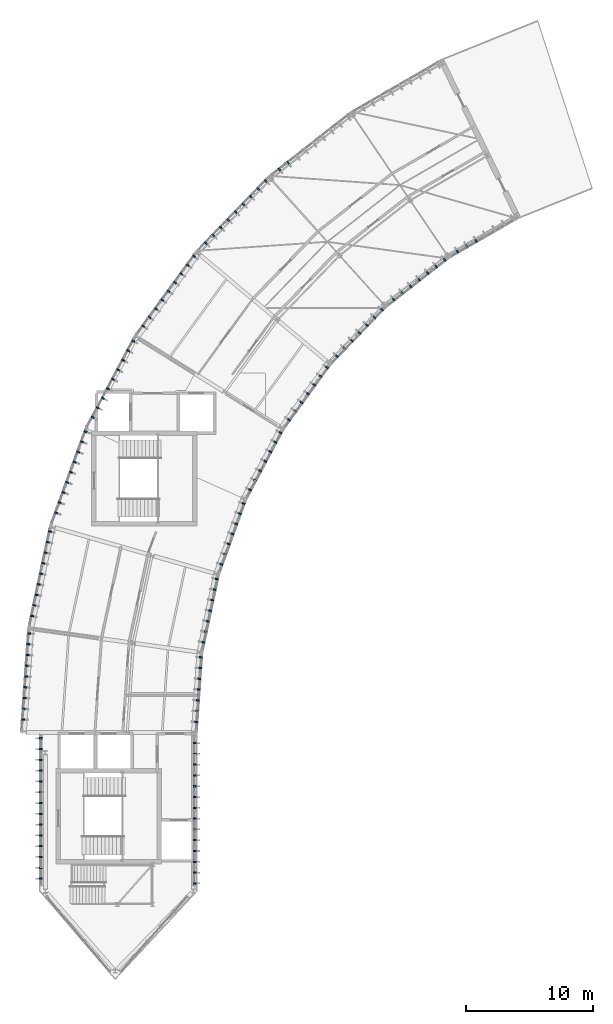
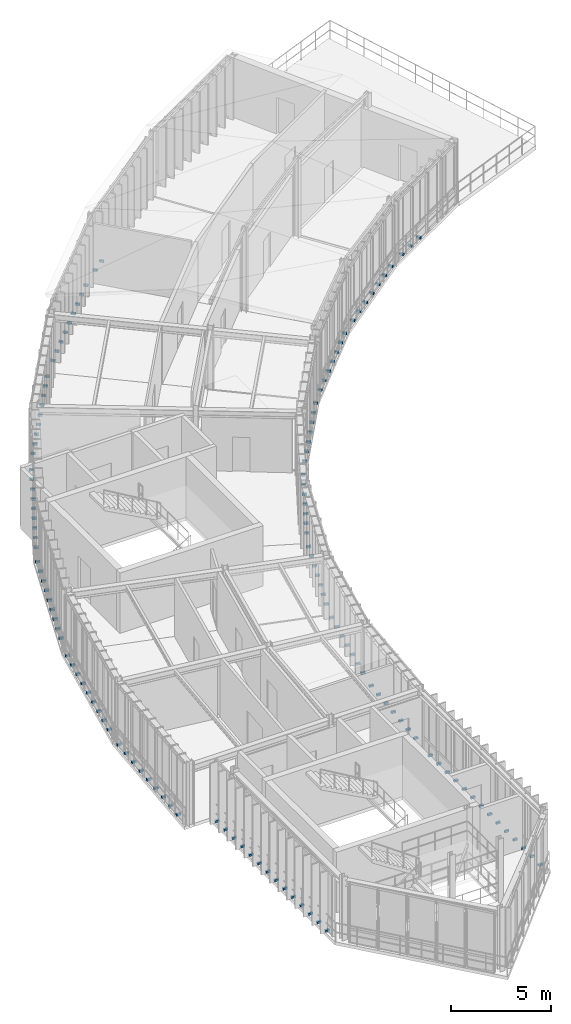
# One storey, part 20 of 25: 136 discrete accessories.
"""IFC4 building model written with IfcOpenShell, lengths in metres."""

from ifc_helpers import new_model, si_unit, direction, frame, origin, origin_2d, place, context, subcontext, project, spatial, rectangle, extrude, material, type_object, element, save


model = new_model("IFC4")

# Units and contexts
model_context = context("Model", 3, precision=1e-05, world=origin(), true_north=direction((0.0, 1.0)))
body_context = subcontext(model_context, "Body", "Model", "MODEL_VIEW")
ifc_project = project(units=[si_unit("LENGTHUNIT", "METRE"), si_unit("AREAUNIT", "SQUARE_METRE"), si_unit("VOLUMEUNIT", "CUBIC_METRE"), si_unit("PLANEANGLEUNIT", "RADIAN"), si_unit("MASSUNIT", "GRAM", prefix="KILO"), si_unit("THERMODYNAMICTEMPERATUREUNIT", "KELVIN"), si_unit("POWERUNIT", "WATT")], contexts=[model_context])

# Site, building, storey
site_placement = place(None, origin())
site = spatial("IfcSite", under=ifc_project, at=site_placement, CompositionType="ELEMENT")
building_placement = place(site_placement, origin())
building = spatial("IfcBuilding", under=site, at=building_placement, Name="Solvatero Civic Police Headquarters", CompositionType="ELEMENT")
storey_placement = place(building_placement, frame((0.0, 0.0, 25.5)))
storey = spatial("IfcBuildingStorey", under=building, at=storey_placement, Name="L06", CompositionType="ELEMENT", Elevation=25.5)

# Discrete accessories
ifc_material = material(Name="Steel S355", Category="steel")
discrete_accessory_type = type_object("IfcDiscreteAccessoryType", Name="ACC-BRK-FIN", PredefinedType="BRACKET", material=ifc_material)
for number, where, z_axis, x_axis, name in (
    (1, (70.927490234375, 64.7099609375, 0.0), (0.0, 0.0, 1.0), (-0.866025403784, -0.5, 0.0), "Slab-Edge Fin Bracket 1231"),
    (2, (70.19140625, 64.284912109375, 0.0), (0.0, 0.0, 1.0), (-0.866025403784, -0.5, 0.0), "Slab-Edge Fin Bracket 1232"),
    (3, (69.455078125, 63.860107421875, 0.0), (0.0, 0.0, 1.0), (-0.866025403784, -0.5, 0.0), "Slab-Edge Fin Bracket 1233"),
    (4, (56.104736328125, 70.8671875, 0.0), (0.0, 0.0, 1.0), (-0.788010753607, -0.615661475326, 0.0), "Slab-Edge Fin Bracket 1241"),
    (5, (55.434814453125, 70.343994140625, 0.0), (0.0, 0.0, 1.0), (-0.788010753607, -0.615661475326, 0.0), "Slab-Edge Fin Bracket 1242"),
    (6, (68.45166015625, 63.2216796875, 0.0), (0.0, 0.0, 1.0), (-0.788010753607, -0.615661475326, 0.0), "Slab-Edge Fin Bracket 1243"),
    (7, (67.78173828125, 62.6982421875, 0.0), (0.0, 0.0, 1.0), (-0.788010753607, -0.615661475326, 0.0), "Slab-Edge Fin Bracket 1244"),
    (8, (67.112060546875, 62.1748046875, 0.0), (0.0, 0.0, 1.0), (-0.788010753607, -0.615661475326, 0.0), "Slab-Edge Fin Bracket 1245"),
    (9, (66.442138671875, 61.651611328125, 0.0), (0.0, 0.0, 1.0), (-0.788010753607, -0.615661475326, 0.0), "Slab-Edge Fin Bracket 1246"),
    (10, (65.7724609375, 61.12841796875, 0.0), (0.0, 0.0, 1.0), (-0.788010753607, -0.615661475326, 0.0), "Slab-Edge Fin Bracket 1247"),
    (11, (65.1025390625, 60.60498046875, 0.0), (0.0, 0.0, 1.0), (-0.788010753607, -0.615661475326, 0.0), "Slab-Edge Fin Bracket 1248"),
    (12, (64.432861328125, 60.081787109375, 0.0), (0.0, 0.0, 1.0), (-0.788010753607, -0.615661475326, 0.0), "Slab-Edge Fin Bracket 1249"),
    (13, (54.35546875, 69.429443359375, 0.0), (0.0, 0.0, 1.0), (-0.694658370459, -0.719339800339, 0.0), "Slab-Edge Fin Bracket 1250"),
    (14, (53.764892578125, 68.818115234375, 0.0), (0.0, 0.0, 1.0), (-0.694658370459, -0.719339800339, 0.0), "Slab-Edge Fin Bracket 1251"),
    (15, (53.174560546875, 68.20654296875, 0.0), (0.0, 0.0, 1.0), (-0.694658370459, -0.719339800339, 0.0), "Slab-Edge Fin Bracket 1252"),
    (16, (52.583984375, 67.59521484375, 0.0), (0.0, 0.0, 1.0), (-0.694658370459, -0.719339800339, 0.0), "Slab-Edge Fin Bracket 1253"),
    (17, (51.99365234375, 66.983642578125, 0.0), (0.0, 0.0, 1.0), (-0.694658370459, -0.719339800339, 0.0), "Slab-Edge Fin Bracket 1254"),
    (18, (51.4033203125, 66.372314453125, 0.0), (0.0, 0.0, 1.0), (-0.694658370459, -0.719339800339, 0.0), "Slab-Edge Fin Bracket 1255"),
    (19, (50.812744140625, 65.7607421875, 0.0), (0.0, 0.0, 1.0), (-0.694658370459, -0.719339800339, 0.0), "Slab-Edge Fin Bracket 1256"),
    (20, (50.22216796875, 65.1494140625, 0.0), (0.0, 0.0, 1.0), (-0.694658370459, -0.719339800339, 0.0), "Slab-Edge Fin Bracket 1257"),
    (21, (49.6318359375, 64.5380859375, 0.0), (0.0, 0.0, 1.0), (-0.694658370459, -0.719339800339, 0.0), "Slab-Edge Fin Bracket 1258"),
    (22, (63.512939453125, 59.29638671875, 0.0), (0.0, 0.0, 1.0), (-0.694645815505, -0.719351924305, 0.0), "Slab-Edge Fin Bracket 1259"),
    (23, (62.922607421875, 58.684814453125, 0.0), (0.0, 0.0, 1.0), (-0.694645815505, -0.719351924305, 0.0), "Slab-Edge Fin Bracket 1260"),
    (24, (62.33203125, 58.073486328125, 0.0), (0.0, 0.0, 1.0), (-0.694645815505, -0.719351924305, 0.0), "Slab-Edge Fin Bracket 1261"),
    (25, (61.74169921875, 57.4619140625, 0.0), (0.0, 0.0, 1.0), (-0.694645815505, -0.719351924305, 0.0), "Slab-Edge Fin Bracket 1262"),
    (26, (61.151123046875, 56.8505859375, 0.0), (0.0, 0.0, 1.0), (-0.694645815505, -0.719351924305, 0.0), "Slab-Edge Fin Bracket 1263"),
    (27, (60.560791015625, 56.2392578125, 0.0), (0.0, 0.0, 1.0), (-0.694645815505, -0.719351924305, 0.0), "Slab-Edge Fin Bracket 1264"),
    (28, (59.97021484375, 55.627685546875, 0.0), (0.0, 0.0, 1.0), (-0.694645815505, -0.719351924305, 0.0), "Slab-Edge Fin Bracket 1265"),
    (29, (48.702880859375, 63.49755859375, 0.0), (0.0, 0.0, 1.0), (-0.587785252292, -0.809016994375, 0.0), "Slab-Edge Fin Bracket 1266"),
    (30, (48.203369140625, 62.809814453125, 0.0), (0.0, 0.0, 1.0), (-0.587785252292, -0.809016994375, 0.0), "Slab-Edge Fin Bracket 1267"),
    (31, (47.703857421875, 62.122314453125, 0.0), (0.0, 0.0, 1.0), (-0.587785252292, -0.809016994375, 0.0), "Slab-Edge Fin Bracket 1268"),
    (32, (47.2041015625, 61.4345703125, 0.0), (0.0, 0.0, 1.0), (-0.587785252292, -0.809016994375, 0.0), "Slab-Edge Fin Bracket 1269"),
    (33, (46.70458984375, 60.746826171875, 0.0), (0.0, 0.0, 1.0), (-0.587785252292, -0.809016994375, 0.0), "Slab-Edge Fin Bracket 1270"),
    (34, (46.204833984375, 60.05908203125, 0.0), (0.0, 0.0, 1.0), (-0.587785252292, -0.809016994375, 0.0), "Slab-Edge Fin Bracket 1271"),
    (35, (45.705322265625, 59.37158203125, 0.0), (0.0, 0.0, 1.0), (-0.587785252292, -0.809016994375, 0.0), "Slab-Edge Fin Bracket 1272"),
    (36, (45.205810546875, 58.683837890625, 0.0), (0.0, 0.0, 1.0), (-0.587785252292, -0.809016994375, 0.0), "Slab-Edge Fin Bracket 1273"),
    (37, (44.7060546875, 57.99609375, 0.0), (0.0, 0.0, 1.0), (-0.587785252292, -0.809016994375, 0.0), "Slab-Edge Fin Bracket 1274"),
    (38, (59.181640625, 54.737548828125, 0.0), (0.0, 0.0, 1.0), (-0.587785252292, -0.809016994375, 0.0), "Slab-Edge Fin Bracket 1275"),
    (39, (58.68212890625, 54.0498046875, 0.0), (0.0, 0.0, 1.0), (-0.587785252292, -0.809016994375, 0.0), "Slab-Edge Fin Bracket 1276"),
    (40, (58.1826171875, 53.3623046875, 0.0), (0.0, 0.0, 1.0), (-0.587785252292, -0.809016994375, 0.0), "Slab-Edge Fin Bracket 1277"),
    (41, (57.682861328125, 52.674560546875, 0.0), (0.0, 0.0, 1.0), (-0.587785252292, -0.809016994375, 0.0), "Slab-Edge Fin Bracket 1278"),
    (42, (57.18310546875, 51.98681640625, 0.0), (0.0, 0.0, 1.0), (-0.587785252292, -0.809016994375, 0.0), "Slab-Edge Fin Bracket 1279"),
    (43, (56.68359375, 51.29931640625, 0.0), (0.0, 0.0, 1.0), (-0.587785252292, -0.809016994375, 0.0), "Slab-Edge Fin Bracket 1280"),
    (44, (56.18408203125, 50.611572265625, 0.0), (0.0, 0.0, 1.0), (-0.587785252292, -0.809016994375, 0.0), "Slab-Edge Fin Bracket 1281"),
    (45, (43.92041015625, 56.819580078125, 0.0), (0.0, 0.0, 1.0), (-0.469471562786, -0.882947592859, 0.0), "Slab-Edge Fin Bracket 1282"),
    (46, (43.521484375, 56.069091796875, 0.0), (0.0, 0.0, 1.0), (-0.469471562786, -0.882947592859, 0.0), "Slab-Edge Fin Bracket 1283"),
    (47, (43.122314453125, 55.318603515625, 0.0), (0.0, 0.0, 1.0), (-0.469471562786, -0.882947592859, 0.0), "Slab-Edge Fin Bracket 1284"),
    (48, (42.723388671875, 54.568115234375, 0.0), (0.0, 0.0, 1.0), (-0.469471562786, -0.882947592859, 0.0), "Slab-Edge Fin Bracket 1285"),
    (49, (42.32421875, 53.817626953125, 0.0), (0.0, 0.0, 1.0), (-0.469471562786, -0.882947592859, 0.0), "Slab-Edge Fin Bracket 1286"),
    (50, (41.92529296875, 53.067138671875, 0.0), (0.0, 0.0, 1.0), (-0.469471562786, -0.882947592859, 0.0), "Slab-Edge Fin Bracket 1287"),
    (51, (41.526123046875, 52.316650390625, 0.0), (0.0, 0.0, 1.0), (-0.469471562786, -0.882947592859, 0.0), "Slab-Edge Fin Bracket 1288"),
    (52, (41.127197265625, 51.566162109375, 0.0), (0.0, 0.0, 1.0), (-0.469471562786, -0.882947592859, 0.0), "Slab-Edge Fin Bracket 1289"),
    (53, (40.72802734375, 50.815673828125, 0.0), (0.0, 0.0, 1.0), (-0.469471562786, -0.882947592859, 0.0), "Slab-Edge Fin Bracket 1290"),
    (54, (55.516357421875, 49.603271484375, 0.0), (0.0, 0.0, 1.0), (-0.469486973057, -0.8829393989, 0.0), "Slab-Edge Fin Bracket 1291"),
    (55, (55.1171875, 48.852783203125, 0.0), (0.0, 0.0, 1.0), (-0.469486973057, -0.8829393989, 0.0), "Slab-Edge Fin Bracket 1292"),
    (56, (54.71826171875, 48.102294921875, 0.0), (0.0, 0.0, 1.0), (-0.469486973057, -0.8829393989, 0.0), "Slab-Edge Fin Bracket 1293"),
    (57, (54.319091796875, 47.351806640625, 0.0), (0.0, 0.0, 1.0), (-0.469486973057, -0.8829393989, 0.0), "Slab-Edge Fin Bracket 1294"),
    (58, (53.920166015625, 46.601318359375, 0.0), (0.0, 0.0, 1.0), (-0.469486973057, -0.8829393989, 0.0), "Slab-Edge Fin Bracket 1295"),
    (59, (53.52099609375, 45.8505859375, 0.0), (0.0, 0.0, 1.0), (-0.469486973057, -0.8829393989, 0.0), "Slab-Edge Fin Bracket 1296"),
    (60, (53.1220703125, 45.10009765625, 0.0), (0.0, 0.0, 1.0), (-0.469486973057, -0.8829393989, 0.0), "Slab-Edge Fin Bracket 1297"),
    (61, (40.16845703125, 49.687255859375, 0.0), (0.0, 0.0, 1.0), (-0.342020143326, -0.939692620786, 0.0), "Slab-Edge Fin Bracket 1298"),
    (62, (39.877685546875, 48.888427734375, 0.0), (0.0, 0.0, 1.0), (-0.342020143326, -0.939692620786, 0.0), "Slab-Edge Fin Bracket 1299"),
    (63, (39.587158203125, 48.08984375, 0.0), (0.0, 0.0, 1.0), (-0.342020143326, -0.939692620786, 0.0), "Slab-Edge Fin Bracket 1300"),
    (64, (39.29638671875, 47.291015625, 0.0), (0.0, 0.0, 1.0), (-0.342020143326, -0.939692620786, 0.0), "Slab-Edge Fin Bracket 1301"),
    (65, (39.005615234375, 46.4921875, 0.0), (0.0, 0.0, 1.0), (-0.342020143326, -0.939692620786, 0.0), "Slab-Edge Fin Bracket 1302"),
    (66, (38.71484375, 45.693603515625, 0.0), (0.0, 0.0, 1.0), (-0.342020143326, -0.939692620786, 0.0), "Slab-Edge Fin Bracket 1303"),
    (67, (38.42431640625, 44.894775390625, 0.0), (0.0, 0.0, 1.0), (-0.342020143326, -0.939692620786, 0.0), "Slab-Edge Fin Bracket 1304"),
    (68, (38.133544921875, 44.09619140625, 0.0), (0.0, 0.0, 1.0), (-0.342020143326, -0.939692620786, 0.0), "Slab-Edge Fin Bracket 1305"),
    (69, (37.8427734375, 43.29736328125, 0.0), (0.0, 0.0, 1.0), (-0.342020143326, -0.939692620786, 0.0), "Slab-Edge Fin Bracket 1306"),
    (70, (52.609375, 44.027099609375, 0.0), (0.0, 0.0, 1.0), (-0.342003742543, -0.93969859002, 0.0), "Slab-Edge Fin Bracket 1307"),
    (71, (52.318603515625, 43.228271484375, 0.0), (0.0, 0.0, 1.0), (-0.342003742543, -0.93969859002, 0.0), "Slab-Edge Fin Bracket 1308"),
    (72, (52.02783203125, 42.4296875, 0.0), (0.0, 0.0, 1.0), (-0.342003742543, -0.93969859002, 0.0), "Slab-Edge Fin Bracket 1309"),
    (73, (51.7373046875, 41.630859375, 0.0), (0.0, 0.0, 1.0), (-0.342003742543, -0.93969859002, 0.0), "Slab-Edge Fin Bracket 1310"),
    (74, (51.446533203125, 40.83203125, 0.0), (0.0, 0.0, 1.0), (-0.342003742543, -0.93969859002, 0.0), "Slab-Edge Fin Bracket 1311"),
    (75, (51.15576171875, 40.033447265625, 0.0), (0.0, 0.0, 1.0), (-0.342003742543, -0.93969859002, 0.0), "Slab-Edge Fin Bracket 1312"),
    (76, (50.864990234375, 39.234619140625, 0.0), (0.0, 0.0, 1.0), (-0.342003742543, -0.93969859002, 0.0), "Slab-Edge Fin Bracket 1313"),
    (77, (37.365478515625, 41.822021484375, 0.0), (0.0, 0.0, 1.0), (-0.207911690818, -0.978147600734, 0.0), "Slab-Edge Fin Bracket 1314"),
    (78, (37.188720703125, 40.990478515625, 0.0), (0.0, 0.0, 1.0), (-0.207911690818, -0.978147600734, 0.0), "Slab-Edge Fin Bracket 1315"),
    (79, (37.011962890625, 40.1591796875, 0.0), (0.0, 0.0, 1.0), (-0.207911690818, -0.978147600734, 0.0), "Slab-Edge Fin Bracket 1316"),
    (80, (36.835205078125, 39.32763671875, 0.0), (0.0, 0.0, 1.0), (-0.207911690818, -0.978147600734, 0.0), "Slab-Edge Fin Bracket 1317"),
    (81, (36.658447265625, 38.496337890625, 0.0), (0.0, 0.0, 1.0), (-0.207911690818, -0.978147600734, 0.0), "Slab-Edge Fin Bracket 1318"),
    (82, (36.481689453125, 37.664794921875, 0.0), (0.0, 0.0, 1.0), (-0.207911690818, -0.978147600734, 0.0), "Slab-Edge Fin Bracket 1319"),
    (83, (36.30517578125, 36.83349609375, 0.0), (0.0, 0.0, 1.0), (-0.207911690818, -0.978147600734, 0.0), "Slab-Edge Fin Bracket 1320"),
    (84, (36.12841796875, 36.001953125, 0.0), (0.0, 0.0, 1.0), (-0.207911690818, -0.978147600734, 0.0), "Slab-Edge Fin Bracket 1321"),
    (85, (35.95166015625, 35.170654296875, 0.0), (0.0, 0.0, 1.0), (-0.207911690818, -0.978147600734, 0.0), "Slab-Edge Fin Bracket 1322"),
    (86, (50.501220703125, 38.081298828125, 0.0), (0.0, 0.0, 1.0), (-0.207911690818, -0.978147600734, 0.0), "Slab-Edge Fin Bracket 1323"),
    (87, (50.324462890625, 37.25, 0.0), (0.0, 0.0, 1.0), (-0.207911690818, -0.978147600734, 0.0), "Slab-Edge Fin Bracket 1324"),
    (88, (50.147705078125, 36.41845703125, 0.0), (0.0, 0.0, 1.0), (-0.207911690818, -0.978147600734, 0.0), "Slab-Edge Fin Bracket 1325"),
    (89, (49.970947265625, 35.587158203125, 0.0), (0.0, 0.0, 1.0), (-0.207911690818, -0.978147600734, 0.0), "Slab-Edge Fin Bracket 1326"),
    (90, (49.794189453125, 34.755615234375, 0.0), (0.0, 0.0, 1.0), (-0.207911690818, -0.978147600734, 0.0), "Slab-Edge Fin Bracket 1327"),
    (91, (49.61767578125, 33.92431640625, 0.0), (0.0, 0.0, 1.0), (-0.207911690818, -0.978147600734, 0.0), "Slab-Edge Fin Bracket 1328"),
    (92, (49.44091796875, 33.0927734375, 0.0), (0.0, 0.0, 1.0), (-0.207911690818, -0.978147600734, 0.0), "Slab-Edge Fin Bracket 1329"),
    (93, (35.715087890625, 33.7958984375, 0.0), (0.0, 0.0, 1.0), (-0.069739062956, -0.997565267588, 0.0), "Slab-Edge Fin Bracket 1330"),
    (94, (35.656005859375, 32.947998046875, 0.0), (0.0, 0.0, 1.0), (-0.069739062956, -0.997565267588, 0.0), "Slab-Edge Fin Bracket 1331"),
    (95, (35.5966796875, 32.10009765625, 0.0), (0.0, 0.0, 1.0), (-0.069739062956, -0.997565267588, 0.0), "Slab-Edge Fin Bracket 1332"),
    (96, (35.537353515625, 31.252197265625, 0.0), (0.0, 0.0, 1.0), (-0.069739062956, -0.997565267588, 0.0), "Slab-Edge Fin Bracket 1333"),
    (97, (35.47802734375, 30.404296875, 0.0), (0.0, 0.0, 1.0), (-0.069739062956, -0.997565267588, 0.0), "Slab-Edge Fin Bracket 1334"),
    (98, (35.418701171875, 29.556396484375, 0.0), (0.0, 0.0, 1.0), (-0.069739062956, -0.997565267588, 0.0), "Slab-Edge Fin Bracket 1335"),
    (99, (35.359619140625, 28.70849609375, 0.0), (0.0, 0.0, 1.0), (-0.069739062956, -0.997565267588, 0.0), "Slab-Edge Fin Bracket 1336"),
    (100, (35.30029296875, 27.860595703125, 0.0), (0.0, 0.0, 1.0), (-0.069739062956, -0.997565267588, 0.0), "Slab-Edge Fin Bracket 1337"),
    (101, (35.240966796875, 27.0126953125, 0.0), (0.0, 0.0, 1.0), (-0.069739062956, -0.997565267588, 0.0), "Slab-Edge Fin Bracket 1338"),
    (102, (49.243896484375, 31.919921875, 0.0), (0.0, 0.0, 1.0), (-0.069773884511, -0.997562832628, 0.0), "Slab-Edge Fin Bracket 1339"),
    (103, (49.1845703125, 31.072021484375, 0.0), (0.0, 0.0, 1.0), (-0.069773884511, -0.997562832628, 0.0), "Slab-Edge Fin Bracket 1340"),
    (104, (49.125244140625, 30.22412109375, 0.0), (0.0, 0.0, 1.0), (-0.069773884511, -0.997562832628, 0.0), "Slab-Edge Fin Bracket 1341"),
    (105, (49.06591796875, 29.376220703125, 0.0), (0.0, 0.0, 1.0), (-0.069773884511, -0.997562832628, 0.0), "Slab-Edge Fin Bracket 1342"),
    (106, (49.006591796875, 28.5283203125, 0.0), (0.0, 0.0, 1.0), (-0.069773884511, -0.997562832628, 0.0), "Slab-Edge Fin Bracket 1343"),
    (107, (48.947509765625, 27.68017578125, 0.0), (0.0, 0.0, 1.0), (-0.069773884511, -0.997562832628, 0.0), "Slab-Edge Fin Bracket 1344"),
    (108, (48.88818359375, 26.832275390625, 0.0), (0.0, 0.0, 1.0), (-0.069773884511, -0.997562832628, 0.0), "Slab-Edge Fin Bracket 1345"),
    (109, (36.6298828125, 25.5400390625, 0.0), (0.0, 0.0, 1.0), (0.0, -1.0, 0.0), "Slab-Edge Fin Bracket 1346"),
    (110, (36.6298828125, 24.68994140625, 0.0), (0.0, 0.0, 1.0), (0.0, -1.0, 0.0), "Slab-Edge Fin Bracket 1347"),
    (111, (36.6298828125, 23.840087890625, 0.0), (0.0, 0.0, 1.0), (0.0, -1.0, 0.0), "Slab-Edge Fin Bracket 1348"),
    (112, (36.6298828125, 22.989990234375, 0.0), (0.0, 0.0, 1.0), (0.0, -1.0, 0.0), "Slab-Edge Fin Bracket 1349"),
    (113, (36.6298828125, 22.139892578125, 0.0), (0.0, 0.0, 1.0), (0.0, -1.0, 0.0), "Slab-Edge Fin Bracket 1350"),
    (114, (36.6298828125, 21.2900390625, 0.0), (0.0, 0.0, 1.0), (0.0, -1.0, 0.0), "Slab-Edge Fin Bracket 1351"),
    (115, (36.6298828125, 20.43994140625, 0.0), (0.0, 0.0, 1.0), (0.0, -1.0, 0.0), "Slab-Edge Fin Bracket 1352"),
    (116, (36.6298828125, 19.590087890625, 0.0), (0.0, 0.0, 1.0), (0.0, -1.0, 0.0), "Slab-Edge Fin Bracket 1353"),
    (117, (36.6298828125, 18.739990234375, 0.0), (0.0, 0.0, 1.0), (0.0, -1.0, 0.0), "Slab-Edge Fin Bracket 1354"),
    (118, (36.6298828125, 17.889892578125, 0.0), (0.0, 0.0, 1.0), (0.0, -1.0, 0.0), "Slab-Edge Fin Bracket 1355"),
    (119, (36.6298828125, 17.0400390625, 0.0), (0.0, 0.0, 1.0), (0.0, -1.0, 0.0), "Slab-Edge Fin Bracket 1356"),
    (120, (36.6298828125, 16.18994140625, 0.0), (0.0, 0.0, 1.0), (0.0, -1.0, 0.0), "Slab-Edge Fin Bracket 1357"),
    (121, (36.6298828125, 15.340087890625, 0.0), (0.0, 0.0, 1.0), (0.0, -1.0, 0.0), "Slab-Edge Fin Bracket 1358"),
    (122, (36.6298828125, 14.489990234375, 0.0), (0.0, 0.0, 1.0), (0.0, -1.0, 0.0), "Slab-Edge Fin Bracket 1359"),
    (123, (48.77001953125, 14.110107421875, 0.0), (0.0, 0.0, 1.0), (0.0, 1.0, 0.0), "Slab-Edge Fin Bracket 1360"),
    (124, (48.77001953125, 14.9599609375, 0.0), (0.0, 0.0, 1.0), (0.0, 1.0, 0.0), "Slab-Edge Fin Bracket 1361"),
    (125, (48.77001953125, 15.81005859375, 0.0), (0.0, 0.0, 1.0), (0.0, 1.0, 0.0), "Slab-Edge Fin Bracket 1362"),
    (126, (48.77001953125, 16.659912109375, 0.0), (0.0, 0.0, 1.0), (0.0, 1.0, 0.0), "Slab-Edge Fin Bracket 1363"),
    (127, (48.77001953125, 17.510009765625, 0.0), (0.0, 0.0, 1.0), (0.0, 1.0, 0.0), "Slab-Edge Fin Bracket 1364"),
    (128, (48.77001953125, 18.360107421875, 0.0), (0.0, 0.0, 1.0), (0.0, 1.0, 0.0), "Slab-Edge Fin Bracket 1365"),
    (129, (48.77001953125, 19.2099609375, 0.0), (0.0, 0.0, 1.0), (0.0, 1.0, 0.0), "Slab-Edge Fin Bracket 1366"),
    (130, (48.77001953125, 20.06005859375, 0.0), (0.0, 0.0, 1.0), (0.0, 1.0, 0.0), "Slab-Edge Fin Bracket 1367"),
    (131, (48.77001953125, 20.909912109375, 0.0), (0.0, 0.0, 1.0), (0.0, 1.0, 0.0), "Slab-Edge Fin Bracket 1368"),
    (132, (48.77001953125, 21.760009765625, 0.0), (0.0, 0.0, 1.0), (0.0, 1.0, 0.0), "Slab-Edge Fin Bracket 1369"),
    (133, (48.77001953125, 22.610107421875, 0.0), (0.0, 0.0, 1.0), (0.0, 1.0, 0.0), "Slab-Edge Fin Bracket 1370"),
    (134, (48.77001953125, 23.4599609375, 0.0), (0.0, 0.0, 1.0), (0.0, 1.0, 0.0), "Slab-Edge Fin Bracket 1371"),
    (135, (48.77001953125, 24.31005859375, 0.0), (0.0, 0.0, 1.0), (0.0, 1.0, 0.0), "Slab-Edge Fin Bracket 1372"),
    (136, (48.77001953125, 25.159912109375, 0.0), (0.0, 0.0, 1.0), (0.0, 1.0, 0.0), "Slab-Edge Fin Bracket 1373"),
):
    element("IfcDiscreteAccessory", number, at=place(storey_placement, frame(where, z_axis=z_axis, x_axis=x_axis)), inside=storey, type_object=discrete_accessory_type, Name=name, PredefinedType="BRACKET", context=body_context, shape_type="SweptSolid", body=[
        extrude(rectangle(XDim=0.1201171875, YDim=0.239990234375, at=origin_2d()), origin(), (0.0, 0.0, 1.0), 0.1201171875),
    ])

save(model, "model.ifc")
